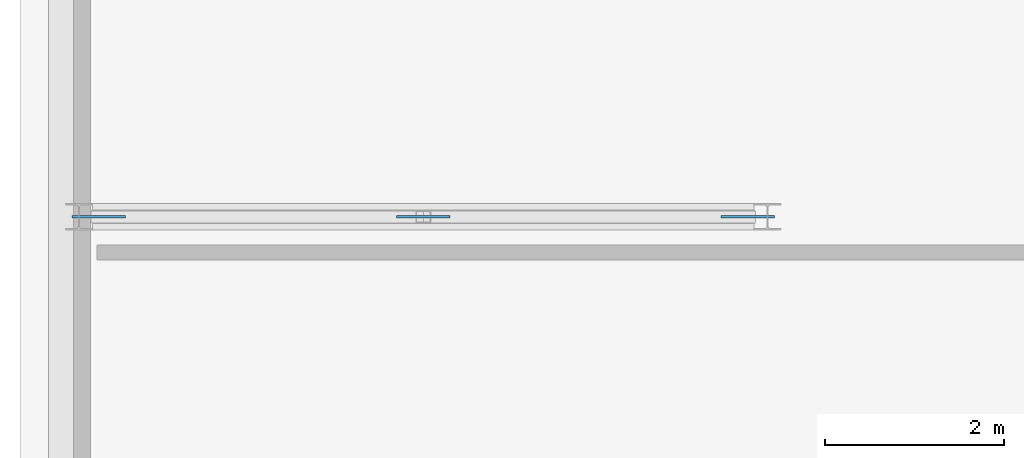
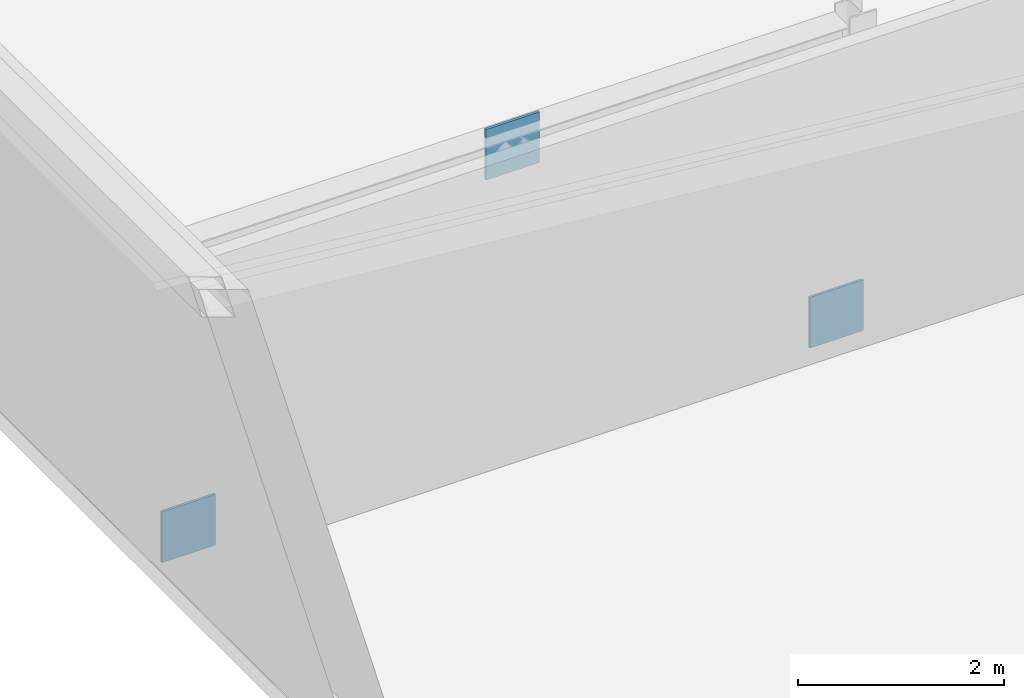
# One storey, part 23 of 42: 3 plates.
"""IFC4 building model written with IfcOpenShell, lengths in metres."""

from ifc_helpers import new_model, si_unit, direction, frame, origin, origin_2d, place, context, subcontext, project, spatial, rectangle, extrude, material, layer, layer_set, type_object, element, save


model = new_model("IFC4")

# Units and contexts
model_context = context("Model", 3, precision=1e-05, world=origin(), true_north=direction((0.0, 1.0)))
body_context = subcontext(model_context, "Body", "Model", "MODEL_VIEW")
ifc_project = project(units=[si_unit("LENGTHUNIT", "METRE"), si_unit("AREAUNIT", "SQUARE_METRE"), si_unit("VOLUMEUNIT", "CUBIC_METRE"), si_unit("PLANEANGLEUNIT", "RADIAN"), si_unit("MASSUNIT", "GRAM", prefix="KILO"), si_unit("THERMODYNAMICTEMPERATUREUNIT", "KELVIN"), si_unit("POWERUNIT", "WATT")], contexts=[model_context])

# Site, building, storey
site_placement = place(None, origin())
site = spatial("IfcSite", under=ifc_project, at=site_placement, CompositionType="ELEMENT")
building_placement = place(site_placement, origin())
building = spatial("IfcBuilding", under=site, at=building_placement, Name="Solvatero Civic Police Headquarters", CompositionType="ELEMENT")
storey_placement = place(building_placement, frame((0.0, 0.0, 21.60009765625)))
storey = spatial("IfcBuildingStorey", under=building, at=storey_placement, Name="L05", CompositionType="ELEMENT", Elevation=21.60009765625)

# Plates
ifc_material = material(Name="Steel S355", Category="steel")
ifc_layer = layer(ifc_material, 0.030029296875)
ifc_layer_set = layer_set([ifc_layer], Name="Steel S355")
plate_type = type_object("IfcPlateType", Name="PLT-GUS-30", PredefinedType="SHEET", material=ifc_layer_set)
for number, where, z_axis, x_axis, name in (
    (1, (8.64990234375, 52.5, 3.079833984375), (0.0, 0.0, 1.0), (1.0, 0.0, 0.0), "Gusset Plate BR-V6-INT1 APX L05"),
    (2, (5.02001953125, 52.5, -0.18017578125), (0.0, 0.0, 1.0), (1.0, 0.0, 0.0), "Gusset Plate BR-V6-INT1 BSL L05"),
    (3, (12.280029296875, 52.5, -0.18017578125), (0.0, 0.0, 1.0), (1.0, 0.0, 0.0), "Gusset Plate BR-V6-INT1 BSR L05"),
):
    element("IfcPlate", number, at=place(storey_placement, frame(where, z_axis=z_axis, x_axis=x_axis)), inside=storey, type_object=plate_type, Name=name, PredefinedType="SHEET", context=body_context, shape_type="SweptSolid", body=[
        extrude(rectangle(XDim=0.60009765625, YDim=0.030029296875, at=origin_2d()), origin(), (0.0, 0.0, 1.0), 0.60009765625),
    ])

save(model, "model.ifc")
